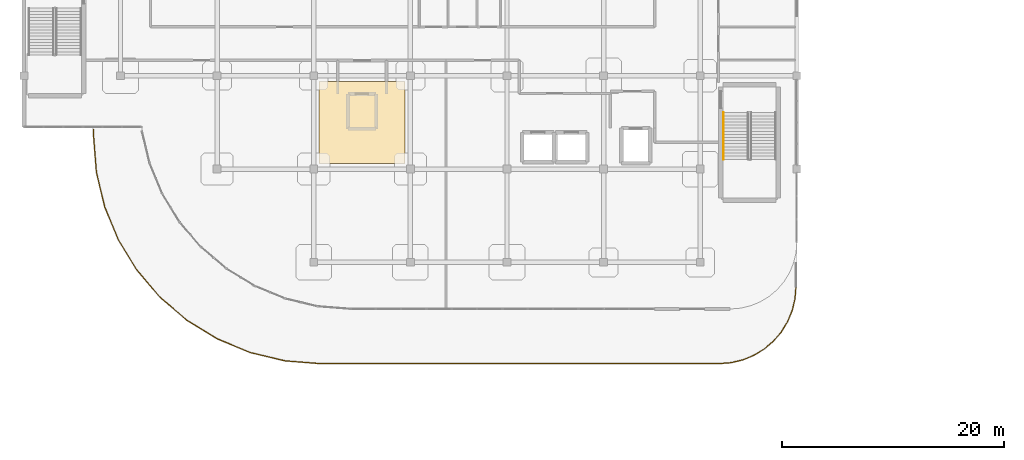
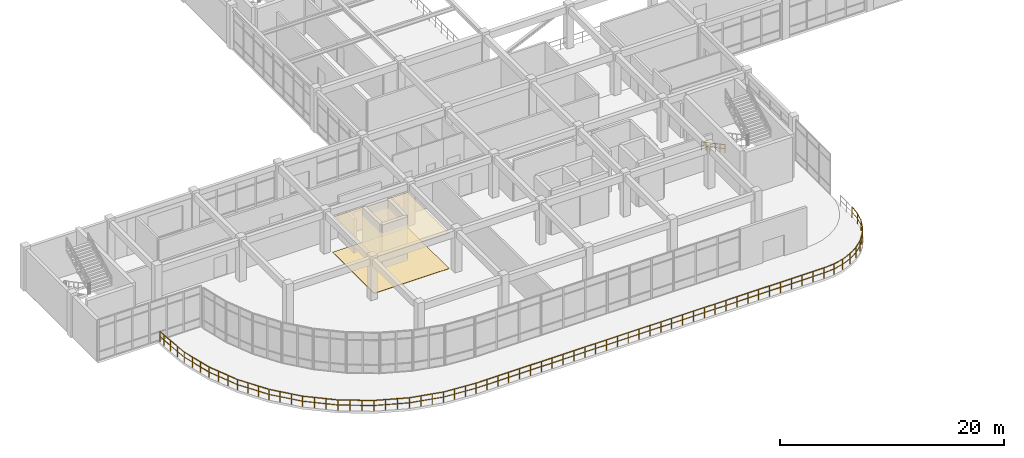
# One storey, part 67 of 76: 2 coverings, 2 railings.
"""IFC4 building model written with IfcOpenShell, lengths in metres."""

from ifc_helpers import new_model, si_unit, derived_unit, direction, frame, origin, origin_2d, place, context, subcontext, project, spatial, polyline, circle, outline, extrude, material, layer, layer_set, type_object, element, save


model = new_model("IFC4")

# Units and contexts
model_context = context("Model", 3, precision=1e-05, world=origin(), true_north=direction((0.0, 1.0)))
body_context = subcontext(model_context, "Body", "Model", "MODEL_VIEW")
ifc_project = project(units=[si_unit("LENGTHUNIT", "METRE"), si_unit("AREAUNIT", "SQUARE_METRE"), si_unit("VOLUMEUNIT", "CUBIC_METRE"), si_unit("PLANEANGLEUNIT", "RADIAN"), si_unit("MASSUNIT", "GRAM", prefix="KILO"), derived_unit("THERMALTRANSMITTANCEUNIT", [(si_unit("MASSUNIT", "GRAM", prefix="KILO"), 1), (si_unit("TIMEUNIT", "SECOND"), -3), (si_unit("THERMODYNAMICTEMPERATUREUNIT", "KELVIN"), -1)])], contexts=[model_context])

# Site, building, storey
site_placement = place(None, origin())
site = spatial("IfcSite", under=ifc_project, at=site_placement, CompositionType="ELEMENT")
building_placement = place(site_placement, origin())
building = spatial("IfcBuilding", under=site, at=building_placement, Name="Qinzheling Arcade Emporium", CompositionType="ELEMENT")
storey_placement = place(building_placement, frame((0.0, 0.0, 26.699951171875)))
storey = spatial("IfcBuildingStorey", under=building, at=storey_placement, Name="L06", CompositionType="ELEMENT", Elevation=26.699951171875)

# Railing
ifc_material_1 = material(Name="Architectural bronze rail and laminated safety glass", Category="glass")
railing_type_1 = type_object("IfcRailingType", Name="Curved Terrace Laminated Glass and Bronze Balustrade 1150", PredefinedType="BALUSTRADE", material=ifc_material_1)
railing_1_placement = place(storey_placement, frame((69.52001953125, 14.60302734375, 0.0)))
element("IfcRailing", 1, at=railing_1_placement, inside=storey, type_object=railing_type_1, Name="Terrace Balustrade RLG-TER-L06-014", PredefinedType="BALUSTRADE", context=body_context, shape_type="SweptSolid", body=[
    extrude(circle(Radius=0.02392578125, at=origin_2d()), frame((0.0, 0.0, 1.1259765625), z_axis=(-0.078068833029, -0.996947971215, 0.0), x_axis=(0.996947971215, -0.078068833029, 0.0)), (0.0, 0.0, 1.0), 1.08837890625),
    extrude(circle(Radius=0.01611328125, at=origin_2d()), frame((0.0, 0.0, 0.574951171875), z_axis=(-0.078068833029, -0.996947971215, 0.0), x_axis=(0.996947971215, -0.078068833029, 0.0)), (0.0, 0.0, 1.0), 1.08837890625),
    extrude(circle(Radius=0.02392578125, at=origin_2d()), frame((-0.0849609375, -1.0849609375, 1.1259765625), z_axis=(-0.233959422765, -0.97224636204, 0.0), x_axis=(0.97224636204, -0.233959422765, 0.0)), (0.0, 0.0, 1.0), 1.086181640625),
    extrude(circle(Radius=0.01611328125, at=origin_2d()), frame((-0.0849609375, -1.0849609375, 0.574951171875), z_axis=(-0.233959422765, -0.97224636204, 0.0), x_axis=(0.97224636204, -0.233959422765, 0.0)), (0.0, 0.0, 1.0), 1.086181640625),
    extrude(circle(Radius=0.02392578125, at=origin_2d()), frame((-0.339111328125, -2.14111328125, 1.1259765625), z_axis=(-0.382827984663, -0.92381964374, 0.0), x_axis=(0.92381964374, -0.382827984663, 0.0)), (0.0, 0.0, 1.0), 1.086669921875),
    extrude(circle(Radius=0.01611328125, at=origin_2d()), frame((-0.339111328125, -2.14111328125, 0.574951171875), z_axis=(-0.382827984663, -0.92381964374, 0.0), x_axis=(0.92381964374, -0.382827984663, 0.0)), (0.0, 0.0, 1.0), 1.086669921875),
    extrude(circle(Radius=0.02392578125, at=origin_2d()), frame((-0.755126953125, -3.14501953125, 1.1259765625), z_axis=(-0.522514566379, -0.852630358316, 0.0), x_axis=(0.852630358316, -0.522514566379, 0.0)), (0.0, 0.0, 1.0), 1.0849609375),
    extrude(circle(Radius=0.01611328125, at=origin_2d()), frame((-0.755126953125, -3.14501953125, 0.574951171875), z_axis=(-0.522514566379, -0.852630358316, 0.0), x_axis=(0.852630358316, -0.522514566379, 0.0)), (0.0, 0.0, 1.0), 1.0849609375),
    extrude(circle(Radius=0.02392578125, at=origin_2d()), frame((-1.322021484375, -4.070068359375, 1.1259765625), z_axis=(-0.649271895538, -0.760556379018, 0.0), x_axis=(0.760556379018, -0.649271895538, 0.0)), (0.0, 0.0, 1.0), 1.0859375),
    extrude(circle(Radius=0.01611328125, at=origin_2d()), frame((-1.322021484375, -4.070068359375, 0.574951171875), z_axis=(-0.649271895538, -0.760556379018, 0.0), x_axis=(0.760556379018, -0.649271895538, 0.0)), (0.0, 0.0, 1.0), 1.0859375),
    extrude(circle(Radius=0.02392578125, at=origin_2d()), frame((-2.027099609375, -4.89599609375, 1.1259765625), z_axis=(-0.760556379018, -0.649271895538, 0.0), x_axis=(0.649271895538, -0.760556379018, 0.0)), (0.0, 0.0, 1.0), 1.0859375),
    extrude(circle(Radius=0.01611328125, at=origin_2d()), frame((-2.027099609375, -4.89599609375, 0.574951171875), z_axis=(-0.760556379018, -0.649271895538, 0.0), x_axis=(0.649271895538, -0.760556379018, 0.0)), (0.0, 0.0, 1.0), 1.0859375),
    extrude(circle(Radius=0.02392578125, at=origin_2d()), frame((-2.85302734375, -5.60107421875, 1.1259765625), z_axis=(-0.852630358316, -0.522514566379, 0.0), x_axis=(0.522514566379, -0.852630358316, 0.0)), (0.0, 0.0, 1.0), 1.0849609375),
    extrude(circle(Radius=0.01611328125, at=origin_2d()), frame((-2.85302734375, -5.60107421875, 0.574951171875), z_axis=(-0.852630358316, -0.522514566379, 0.0), x_axis=(0.522514566379, -0.852630358316, 0.0)), (0.0, 0.0, 1.0), 1.0849609375),
    extrude(circle(Radius=0.02392578125, at=origin_2d()), frame((-3.778076171875, -6.16796875, 1.1259765625), z_axis=(-0.92381964374, -0.382827984663, 0.0), x_axis=(0.382827984663, -0.92381964374, 0.0)), (0.0, 0.0, 1.0), 1.086669921875),
    extrude(circle(Radius=0.01611328125, at=origin_2d()), frame((-3.778076171875, -6.16796875, 0.574951171875), z_axis=(-0.92381964374, -0.382827984663, 0.0), x_axis=(0.382827984663, -0.92381964374, 0.0)), (0.0, 0.0, 1.0), 1.086669921875),
    extrude(circle(Radius=0.02392578125, at=origin_2d()), frame((-4.781982421875, -6.583984375, 1.1259765625), z_axis=(-0.97224636204, -0.233959422765, 0.0), x_axis=(0.233959422765, -0.97224636204, 0.0)), (0.0, 0.0, 1.0), 1.086181640625),
    extrude(circle(Radius=0.01611328125, at=origin_2d()), frame((-4.781982421875, -6.583984375, 0.574951171875), z_axis=(-0.97224636204, -0.233959422765, 0.0), x_axis=(0.233959422765, -0.97224636204, 0.0)), (0.0, 0.0, 1.0), 1.086181640625),
    extrude(circle(Radius=0.02392578125, at=origin_2d()), frame((-5.838134765625, -6.838134765625, 1.1259765625), z_axis=(-0.996947971215, -0.078068833029, 0.0), x_axis=(0.078068833029, -0.996947971215, 0.0)), (0.0, 0.0, 1.0), 1.08837890625),
    extrude(circle(Radius=0.01611328125, at=origin_2d()), frame((-5.838134765625, -6.838134765625, 0.574951171875), z_axis=(-0.996947971215, -0.078068833029, 0.0), x_axis=(0.078068833029, -0.996947971215, 0.0)), (0.0, 0.0, 1.0), 1.08837890625),
    extrude(circle(Radius=0.02392578125, at=origin_2d()), frame((-6.923095703125, -6.923095703125, 1.1259765625), z_axis=(-1.0, 0.0, 0.0), x_axis=(0.0, -1.0, 0.0)), (0.0, 0.0, 1.0), 35.89404296875),
    extrude(circle(Radius=0.01611328125, at=origin_2d()), frame((-6.923095703125, -6.923095703125, 0.574951171875), z_axis=(-1.0, 0.0, 0.0), x_axis=(0.0, -1.0, 0.0)), (0.0, 0.0, 1.0), 35.89404296875),
    extrude(circle(Radius=0.02392578125, at=origin_2d()), frame((-42.817138671875, -6.923095703125, 1.1259765625), z_axis=(-0.996932323467, 0.078268399918, 0.0), x_axis=(-0.078268399918, -0.996932323467, 0.0)), (0.0, 0.0, 1.0), 3.20654296875),
    extrude(circle(Radius=0.01611328125, at=origin_2d()), frame((-42.817138671875, -6.923095703125, 0.574951171875), z_axis=(-0.996932323467, 0.078268399918, 0.0), x_axis=(-0.078268399918, -0.996932323467, 0.0)), (0.0, 0.0, 1.0), 3.20654296875),
    extrude(circle(Radius=0.02392578125, at=origin_2d()), frame((-46.013916015625, -6.672119140625, 1.1259765625), z_axis=(-0.972376236757, 0.233419052759, 0.0), x_axis=(-0.233419052759, -0.972376236757, 0.0)), (0.0, 0.0, 1.0), 3.204833984375),
    extrude(circle(Radius=0.01611328125, at=origin_2d()), frame((-46.013916015625, -6.672119140625, 0.574951171875), z_axis=(-0.972376236757, 0.233419052759, 0.0), x_axis=(-0.233419052759, -0.972376236757, 0.0)), (0.0, 0.0, 1.0), 3.204833984375),
    extrude(circle(Radius=0.02392578125, at=origin_2d()), frame((-49.130126953125, -5.924072265625, 1.1259765625), z_axis=(-0.923814402543, 0.382840632188, 0.0), x_axis=(-0.382840632188, -0.923814402543, 0.0)), (0.0, 0.0, 1.0), 3.205078125),
    extrude(circle(Radius=0.01611328125, at=origin_2d()), frame((-49.130126953125, -5.924072265625, 0.574951171875), z_axis=(-0.923814402543, 0.382840632188, 0.0), x_axis=(-0.382840632188, -0.923814402543, 0.0)), (0.0, 0.0, 1.0), 3.205078125),
    extrude(circle(Radius=0.02392578125, at=origin_2d()), frame((-52.091064453125, -4.697021484375, 1.1259765625), z_axis=(-0.852648339142, 0.522485224441, 0.0), x_axis=(-0.522485224441, -0.852648339142, 0.0)), (0.0, 0.0, 1.0), 3.2041015625),
    extrude(circle(Radius=0.01611328125, at=origin_2d()), frame((-52.091064453125, -4.697021484375, 0.574951171875), z_axis=(-0.852648339142, 0.522485224441, 0.0), x_axis=(-0.522485224441, -0.852648339142, 0.0)), (0.0, 0.0, 1.0), 3.2041015625),
    extrude(circle(Radius=0.02392578125, at=origin_2d()), frame((-54.822998046875, -3.02294921875, 1.1259765625), z_axis=(-0.760368973953, 0.649491357487, 0.0), x_axis=(-0.649491357487, -0.760368973953, 0.0)), (0.0, 0.0, 1.0), 3.203857421875),
    extrude(circle(Radius=0.01611328125, at=origin_2d()), frame((-54.822998046875, -3.02294921875, 0.574951171875), z_axis=(-0.760368973953, 0.649491357487, 0.0), x_axis=(-0.649491357487, -0.760368973953, 0.0)), (0.0, 0.0, 1.0), 3.203857421875),
    extrude(circle(Radius=0.02392578125, at=origin_2d()), frame((-57.259033203125, -0.942138671875, 1.1259765625), z_axis=(-0.649535412711, 0.760331340689, 0.0), x_axis=(-0.760331340689, -0.649535412711, 0.0)), (0.0, 0.0, 1.0), 3.203857421875),
    extrude(circle(Radius=0.01611328125, at=origin_2d()), frame((-57.259033203125, -0.942138671875, 0.574951171875), z_axis=(-0.649535412711, 0.760331340689, 0.0), x_axis=(-0.760331340689, -0.649535412711, 0.0)), (0.0, 0.0, 1.0), 3.203857421875),
    extrude(circle(Radius=0.02392578125, at=origin_2d()), frame((-59.340087890625, 1.493896484375, 1.1259765625), z_axis=(-0.522395882021, 0.852703079886, 0.0), x_axis=(-0.852703079886, -0.522395882021, 0.0)), (0.0, 0.0, 1.0), 3.2041015625),
    extrude(circle(Radius=0.01611328125, at=origin_2d()), frame((-59.340087890625, 1.493896484375, 0.574951171875), z_axis=(-0.522395882021, 0.852703079886, 0.0), x_axis=(-0.852703079886, -0.522395882021, 0.0)), (0.0, 0.0, 1.0), 3.2041015625),
    extrude(circle(Radius=0.02392578125, at=origin_2d()), frame((-61.013916015625, 4.22607421875, 1.1259765625), z_axis=(-0.382840632188, 0.923814402543, 0.0), x_axis=(-0.923814402543, -0.382840632188, 0.0)), (0.0, 0.0, 1.0), 3.205078125),
    extrude(circle(Radius=0.01611328125, at=origin_2d()), frame((-61.013916015625, 4.22607421875, 0.574951171875), z_axis=(-0.382840632188, 0.923814402543, 0.0), x_axis=(-0.923814402543, -0.382840632188, 0.0)), (0.0, 0.0, 1.0), 3.205078125),
    extrude(circle(Radius=0.02392578125, at=origin_2d()), frame((-62.240966796875, 7.18701171875, 1.1259765625), z_axis=(-0.233436344927, 0.972372085607, 0.0), x_axis=(-0.972372085607, -0.233436344927, 0.0)), (0.0, 0.0, 1.0), 3.20458984375),
    extrude(circle(Radius=0.01611328125, at=origin_2d()), frame((-62.240966796875, 7.18701171875, 0.574951171875), z_axis=(-0.233436344927, 0.972372085607, 0.0), x_axis=(-0.972372085607, -0.233436344927, 0.0)), (0.0, 0.0, 1.0), 3.20458984375),
    extrude(circle(Radius=0.02392578125, at=origin_2d()), frame((-62.989013671875, 10.302978515625, 1.1259765625), z_axis=(-0.07826245956, 0.996932789823, 0.0), x_axis=(-0.996932789823, -0.07826245956, 0.0)), (0.0, 0.0, 1.0), 3.206787109375),
    extrude(circle(Radius=0.01611328125, at=origin_2d()), frame((-62.989013671875, 10.302978515625, 0.574951171875), z_axis=(-0.07826245956, 0.996932789823, 0.0), x_axis=(-0.996932789823, -0.07826245956, 0.0)), (0.0, 0.0, 1.0), 3.206787109375),
    extrude(circle(Radius=0.02392578125, at=origin_2d()), frame((-63.239990234375, 13.5, 1.1259765625), z_axis=(0.0, 1.0, 0.0), x_axis=(-1.0, 0.0, 0.0)), (0.0, 0.0, 1.0), 0.677001953125),
    extrude(circle(Radius=0.01611328125, at=origin_2d()), frame((-63.239990234375, 13.5, 0.574951171875), z_axis=(0.0, 1.0, 0.0), x_axis=(-1.0, 0.0, 0.0)), (0.0, 0.0, 1.0), 0.677001953125),
    extrude(circle(Radius=0.02099609375, at=origin_2d()), origin(), (0.0, 0.0, 1.0), 1.101806640625),
    extrude(circle(Radius=0.02099609375, at=origin_2d()), frame((-0.0849609375, -1.0849609375, 0.0)), (0.0, 0.0, 1.0), 1.101806640625),
    extrude(circle(Radius=0.02099609375, at=origin_2d()), frame((-0.339111328125, -2.14111328125, 0.0)), (0.0, 0.0, 1.0), 1.101806640625),
    extrude(circle(Radius=0.02099609375, at=origin_2d()), frame((-0.755126953125, -3.14501953125, 0.0)), (0.0, 0.0, 1.0), 1.101806640625),
    extrude(circle(Radius=0.02099609375, at=origin_2d()), frame((-1.322021484375, -4.070068359375, 0.0)), (0.0, 0.0, 1.0), 1.101806640625),
    extrude(circle(Radius=0.02099609375, at=origin_2d()), frame((-2.027099609375, -4.89599609375, 0.0)), (0.0, 0.0, 1.0), 1.101806640625),
    extrude(circle(Radius=0.02099609375, at=origin_2d()), frame((-2.85302734375, -5.60107421875, 0.0)), (0.0, 0.0, 1.0), 1.101806640625),
    extrude(circle(Radius=0.02099609375, at=origin_2d()), frame((-3.778076171875, -6.16796875, 0.0)), (0.0, 0.0, 1.0), 1.101806640625),
    extrude(circle(Radius=0.02099609375, at=origin_2d()), frame((-4.781982421875, -6.583984375, 0.0)), (0.0, 0.0, 1.0), 1.101806640625),
    extrude(circle(Radius=0.02099609375, at=origin_2d()), frame((-5.838134765625, -6.838134765625, 0.0)), (0.0, 0.0, 1.0), 1.101806640625),
    extrude(circle(Radius=0.02099609375, at=origin_2d()), frame((-6.923095703125, -6.923095703125, 0.0)), (0.0, 0.0, 1.0), 1.101806640625),
    extrude(circle(Radius=0.02099609375, at=origin_2d()), frame((-8.044677734375, -6.923095703125, 0.0)), (0.0, 0.0, 1.0), 1.101806640625),
    extrude(circle(Radius=0.02099609375, at=origin_2d()), frame((-9.16650390625, -6.923095703125, 0.0)), (0.0, 0.0, 1.0), 1.101806640625),
    extrude(circle(Radius=0.02099609375, at=origin_2d()), frame((-10.2880859375, -6.923095703125, 0.0)), (0.0, 0.0, 1.0), 1.101806640625),
    extrude(circle(Radius=0.02099609375, at=origin_2d()), frame((-11.409912109375, -6.923095703125, 0.0)), (0.0, 0.0, 1.0), 1.101806640625),
    extrude(circle(Radius=0.02099609375, at=origin_2d()), frame((-12.531494140625, -6.923095703125, 0.0)), (0.0, 0.0, 1.0), 1.101806640625),
    extrude(circle(Radius=0.02099609375, at=origin_2d()), frame((-13.6533203125, -6.923095703125, 0.0)), (0.0, 0.0, 1.0), 1.101806640625),
    extrude(circle(Radius=0.02099609375, at=origin_2d()), frame((-14.77490234375, -6.923095703125, 0.0)), (0.0, 0.0, 1.0), 1.101806640625),
    extrude(circle(Radius=0.02099609375, at=origin_2d()), frame((-15.896484375, -6.923095703125, 0.0)), (0.0, 0.0, 1.0), 1.101806640625),
    extrude(circle(Radius=0.02099609375, at=origin_2d()), frame((-17.018310546875, -6.923095703125, 0.0)), (0.0, 0.0, 1.0), 1.101806640625),
    extrude(circle(Radius=0.02099609375, at=origin_2d()), frame((-18.139892578125, -6.923095703125, 0.0)), (0.0, 0.0, 1.0), 1.101806640625),
    extrude(circle(Radius=0.02099609375, at=origin_2d()), frame((-19.26171875, -6.923095703125, 0.0)), (0.0, 0.0, 1.0), 1.101806640625),
    extrude(circle(Radius=0.02099609375, at=origin_2d()), frame((-20.38330078125, -6.923095703125, 0.0)), (0.0, 0.0, 1.0), 1.101806640625),
    extrude(circle(Radius=0.02099609375, at=origin_2d()), frame((-21.505126953125, -6.923095703125, 0.0)), (0.0, 0.0, 1.0), 1.101806640625),
    extrude(circle(Radius=0.02099609375, at=origin_2d()), frame((-22.626708984375, -6.923095703125, 0.0)), (0.0, 0.0, 1.0), 1.101806640625),
    extrude(circle(Radius=0.02099609375, at=origin_2d()), frame((-23.74853515625, -6.923095703125, 0.0)), (0.0, 0.0, 1.0), 1.101806640625),
    extrude(circle(Radius=0.02099609375, at=origin_2d()), frame((-24.8701171875, -6.923095703125, 0.0)), (0.0, 0.0, 1.0), 1.101806640625),
    extrude(circle(Radius=0.02099609375, at=origin_2d()), frame((-25.99169921875, -6.923095703125, 0.0)), (0.0, 0.0, 1.0), 1.101806640625),
    extrude(circle(Radius=0.02099609375, at=origin_2d()), frame((-27.113525390625, -6.923095703125, 0.0)), (0.0, 0.0, 1.0), 1.101806640625),
    extrude(circle(Radius=0.02099609375, at=origin_2d()), frame((-28.235107421875, -6.923095703125, 0.0)), (0.0, 0.0, 1.0), 1.101806640625),
    extrude(circle(Radius=0.02099609375, at=origin_2d()), frame((-29.35693359375, -6.923095703125, 0.0)), (0.0, 0.0, 1.0), 1.101806640625),
    extrude(circle(Radius=0.02099609375, at=origin_2d()), frame((-30.478515625, -6.923095703125, 0.0)), (0.0, 0.0, 1.0), 1.101806640625),
    extrude(circle(Radius=0.02099609375, at=origin_2d()), frame((-31.600341796875, -6.923095703125, 0.0)), (0.0, 0.0, 1.0), 1.101806640625),
    extrude(circle(Radius=0.02099609375, at=origin_2d()), frame((-32.721923828125, -6.923095703125, 0.0)), (0.0, 0.0, 1.0), 1.101806640625),
    extrude(circle(Radius=0.02099609375, at=origin_2d()), frame((-33.84375, -6.923095703125, 0.0)), (0.0, 0.0, 1.0), 1.101806640625),
    extrude(circle(Radius=0.02099609375, at=origin_2d()), frame((-34.96533203125, -6.923095703125, 0.0)), (0.0, 0.0, 1.0), 1.101806640625),
    extrude(circle(Radius=0.02099609375, at=origin_2d()), frame((-36.0869140625, -6.923095703125, 0.0)), (0.0, 0.0, 1.0), 1.101806640625),
    extrude(circle(Radius=0.02099609375, at=origin_2d()), frame((-37.208740234375, -6.923095703125, 0.0)), (0.0, 0.0, 1.0), 1.101806640625),
    extrude(circle(Radius=0.02099609375, at=origin_2d()), frame((-38.330322265625, -6.923095703125, 0.0)), (0.0, 0.0, 1.0), 1.101806640625),
    extrude(circle(Radius=0.02099609375, at=origin_2d()), frame((-39.4521484375, -6.923095703125, 0.0)), (0.0, 0.0, 1.0), 1.101806640625),
    extrude(circle(Radius=0.02099609375, at=origin_2d()), frame((-40.57373046875, -6.923095703125, 0.0)), (0.0, 0.0, 1.0), 1.101806640625),
    extrude(circle(Radius=0.02099609375, at=origin_2d()), frame((-41.695556640625, -6.923095703125, 0.0)), (0.0, 0.0, 1.0), 1.101806640625),
    extrude(circle(Radius=0.02099609375, at=origin_2d()), frame((-42.817138671875, -6.923095703125, 0.0)), (0.0, 0.0, 1.0), 1.101806640625),
    extrude(circle(Radius=0.02099609375, at=origin_2d()), frame((-43.8828125, -6.83935546875, 0.0)), (0.0, 0.0, 1.0), 1.101806640625),
    extrude(circle(Radius=0.02099609375, at=origin_2d()), frame((-44.9482421875, -6.755859375, 0.0)), (0.0, 0.0, 1.0), 1.101806640625),
    extrude(circle(Radius=0.02099609375, at=origin_2d()), frame((-46.013916015625, -6.672119140625, 0.0)), (0.0, 0.0, 1.0), 1.101806640625),
    extrude(circle(Radius=0.02099609375, at=origin_2d()), frame((-47.052734375, -6.4228515625, 0.0)), (0.0, 0.0, 1.0), 1.101806640625),
    extrude(circle(Radius=0.02099609375, at=origin_2d()), frame((-48.09130859375, -6.17333984375, 0.0)), (0.0, 0.0, 1.0), 1.101806640625),
    extrude(circle(Radius=0.02099609375, at=origin_2d()), frame((-49.130126953125, -5.924072265625, 0.0)), (0.0, 0.0, 1.0), 1.101806640625),
    extrude(circle(Radius=0.02099609375, at=origin_2d()), frame((-50.1171875, -5.51513671875, 0.0)), (0.0, 0.0, 1.0), 1.101806640625),
    extrude(circle(Radius=0.02099609375, at=origin_2d()), frame((-51.10400390625, -5.10595703125, 0.0)), (0.0, 0.0, 1.0), 1.101806640625),
    extrude(circle(Radius=0.02099609375, at=origin_2d()), frame((-52.091064453125, -4.697021484375, 0.0)), (0.0, 0.0, 1.0), 1.101806640625),
    extrude(circle(Radius=0.02099609375, at=origin_2d()), frame((-53.001708984375, -4.138916015625, 0.0)), (0.0, 0.0, 1.0), 1.101806640625),
    extrude(circle(Radius=0.02099609375, at=origin_2d()), frame((-53.912353515625, -3.5810546875, 0.0)), (0.0, 0.0, 1.0), 1.101806640625),
    extrude(circle(Radius=0.02099609375, at=origin_2d()), frame((-54.822998046875, -3.02294921875, 0.0)), (0.0, 0.0, 1.0), 1.101806640625),
    extrude(circle(Radius=0.02099609375, at=origin_2d()), frame((-55.635009765625, -2.329345703125, 0.0)), (0.0, 0.0, 1.0), 1.101806640625),
    extrude(circle(Radius=0.02099609375, at=origin_2d()), frame((-56.447021484375, -1.6357421875, 0.0)), (0.0, 0.0, 1.0), 1.101806640625),
    extrude(circle(Radius=0.02099609375, at=origin_2d()), frame((-57.259033203125, -0.942138671875, 0.0)), (0.0, 0.0, 1.0), 1.101806640625),
    extrude(circle(Radius=0.02099609375, at=origin_2d()), frame((-57.95263671875, -0.130126953125, 0.0)), (0.0, 0.0, 1.0), 1.101806640625),
    extrude(circle(Radius=0.02099609375, at=origin_2d()), frame((-58.646484375, 0.681884765625, 0.0)), (0.0, 0.0, 1.0), 1.101806640625),
    extrude(circle(Radius=0.02099609375, at=origin_2d()), frame((-59.340087890625, 1.493896484375, 0.0)), (0.0, 0.0, 1.0), 1.101806640625),
    extrude(circle(Radius=0.02099609375, at=origin_2d()), frame((-59.89794921875, 2.404541015625, 0.0)), (0.0, 0.0, 1.0), 1.101806640625),
    extrude(circle(Radius=0.02099609375, at=origin_2d()), frame((-60.4560546875, 3.3154296875, 0.0)), (0.0, 0.0, 1.0), 1.101806640625),
    extrude(circle(Radius=0.02099609375, at=origin_2d()), frame((-61.013916015625, 4.22607421875, 0.0)), (0.0, 0.0, 1.0), 1.101806640625),
    extrude(circle(Radius=0.02099609375, at=origin_2d()), frame((-61.4228515625, 5.213134765625, 0.0)), (0.0, 0.0, 1.0), 1.101806640625),
    extrude(circle(Radius=0.02099609375, at=origin_2d()), frame((-61.83203125, 6.199951171875, 0.0)), (0.0, 0.0, 1.0), 1.101806640625),
    extrude(circle(Radius=0.02099609375, at=origin_2d()), frame((-62.240966796875, 7.18701171875, 0.0)), (0.0, 0.0, 1.0), 1.101806640625),
    extrude(circle(Radius=0.02099609375, at=origin_2d()), frame((-62.490234375, 8.2255859375, 0.0)), (0.0, 0.0, 1.0), 1.101806640625),
    extrude(circle(Radius=0.02099609375, at=origin_2d()), frame((-62.73974609375, 9.264404296875, 0.0)), (0.0, 0.0, 1.0), 1.101806640625),
    extrude(circle(Radius=0.02099609375, at=origin_2d()), frame((-62.989013671875, 10.302978515625, 0.0)), (0.0, 0.0, 1.0), 1.101806640625),
    extrude(circle(Radius=0.02099609375, at=origin_2d()), frame((-63.07275390625, 11.36865234375, 0.0)), (0.0, 0.0, 1.0), 1.101806640625),
    extrude(circle(Radius=0.02099609375, at=origin_2d()), frame((-63.15625, 12.434326171875, 0.0)), (0.0, 0.0, 1.0), 1.101806640625),
    extrude(circle(Radius=0.02099609375, at=origin_2d()), frame((-63.239990234375, 13.5, 0.0)), (0.0, 0.0, 1.0), 1.101806640625),
    extrude(circle(Radius=0.02099609375, at=origin_2d()), frame((-63.239990234375, 14.177001953125, 0.0)), (0.0, 0.0, 1.0), 1.101806640625),
])

# Coverings
ifc_material_2 = material(Name="Mineral-fibre acoustic ceiling board")
ifc_layer_1 = layer(ifc_material_2, 0.02490234375, Name="Mineral-fibre acoustic ceiling board")
ifc_layer_set_1 = layer_set([ifc_layer_1], Name="Mineral-fibre acoustic ceiling board")
covering_type_1 = type_object("IfcCoveringType", Name="Perforated Mineral Acoustic Ceiling 25", PredefinedType="CEILING", material=ifc_layer_set_1)
covering_1_placement = place(storey_placement, frame((0.0, 0.0, 3.85009765625)))
element("IfcCovering", 2, at=covering_1_placement, inside=storey, type_object=covering_type_1, Name="Acoustic Ceiling L06", PredefinedType="CEILING", context=body_context, shape_type="SweptSolid", body=[
    extrude(outline(polyline([(26.580078125, 25.699951171875), (34.320068359375, 25.699951171875), (34.320068359375, 33.10009765625), (26.580078125, 33.10009765625), (26.580078125, 25.699951171875)])), origin(), (0.0, 0.0, 1.0), 0.02490234375),
])
ifc_material_3 = material(Name="Polished terrazzo stone finish", Category="masonry")
ifc_layer_2 = layer(ifc_material_3, 0.034912109375, Name="Polished terrazzo stone finish", Category="masonry")
ifc_layer_set_2 = layer_set([ifc_layer_2], Name="Polished terrazzo stone finish")
covering_type_2 = type_object("IfcCoveringType", Name="Polished Terrazzo Retail Flooring 35", PredefinedType="FLOORING", material=ifc_layer_set_2)
covering_2_placement = place(storey_placement, origin())
element("IfcCovering", 3, at=covering_2_placement, inside=storey, type_object=covering_type_2, Name="Terrazzo Flooring L06", PredefinedType="FLOORING", context=body_context, shape_type="SweptSolid", body=[
    extrude(outline(polyline([(26.580078125, 25.699951171875), (34.320068359375, 25.699951171875), (34.320068359375, 33.10009765625), (26.580078125, 33.10009765625), (26.580078125, 25.699951171875)])), origin(), (0.0, 0.0, 1.0), 0.03515625),
])

# Railing
ifc_material_4 = material(Name="Brushed stainless steel 304", Category="steel")
railing_type_2 = type_object("IfcRailingType", Name="Stainless Steel Wall Handrail 900", PredefinedType="HANDRAIL", material=ifc_material_4)
railing_2_placement = place(storey_placement, frame((63.0, 30.280029296875, 0.150146484375)))
element("IfcRailing", 4, at=railing_2_placement, inside=storey, type_object=railing_type_2, Name="L06 ST01 stair handrail 1", PredefinedType="HANDRAIL", context=body_context, shape_type="SweptSolid", body=[
    extrude(circle(Radius=0.02392578125, at=origin_2d()), frame((0.0, 0.0, 0.8759765625), z_axis=(0.0, -0.881477684796, 0.472225678258), x_axis=(1.0, 0.0, 0.0)), (0.0, 0.0, 1.0), 4.7646484375),
    extrude(circle(Radius=0.01611328125, at=origin_2d()), frame((0.0, 0.0, 0.449951171875), z_axis=(0.0, -0.881477684796, 0.472225678258), x_axis=(1.0, 0.0, 0.0)), (0.0, 0.0, 1.0), 4.7646484375),
    extrude(circle(Radius=0.02099609375, at=origin_2d()), origin(), (0.0, 0.0, 1.0), 0.851806640625),
    extrude(circle(Radius=0.02099609375, at=origin_2d()), frame((0.0, -0.840087890625, 0.449951171875)), (0.0, 0.0, 1.0), 0.851806640625),
    extrude(circle(Radius=0.02099609375, at=origin_2d()), frame((0.0, -1.679931640625, 0.89990234375)), (0.0, 0.0, 1.0), 0.851806640625),
    extrude(circle(Radius=0.02099609375, at=origin_2d()), frame((0.0, -2.52001953125, 1.35009765625)), (0.0, 0.0, 1.0), 0.851806640625),
    extrude(circle(Radius=0.02099609375, at=origin_2d()), frame((0.0, -3.35986328125, 1.800048828125)), (0.0, 0.0, 1.0), 0.851806640625),
    extrude(circle(Radius=0.02099609375, at=origin_2d()), frame((0.0, -4.199951171875, 2.25)), (0.0, 0.0, 1.0), 0.851806640625),
])

save(model, "model.ifc")
